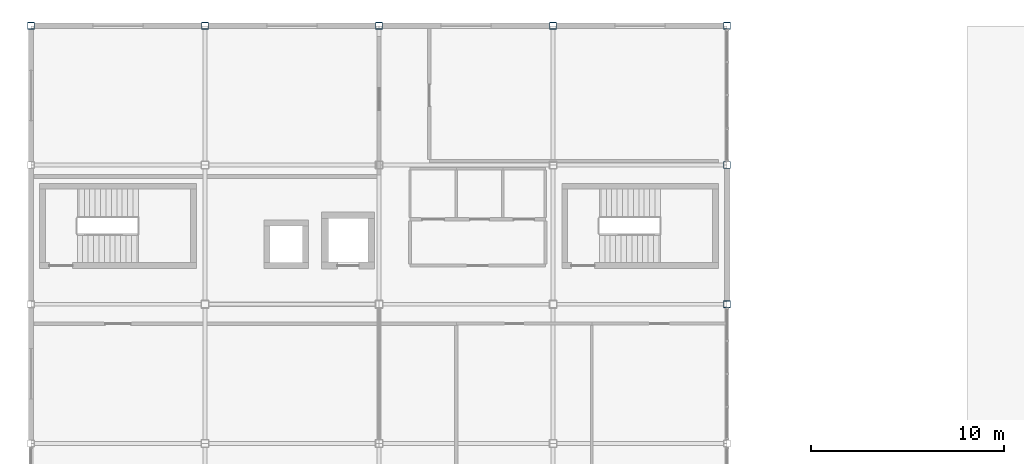
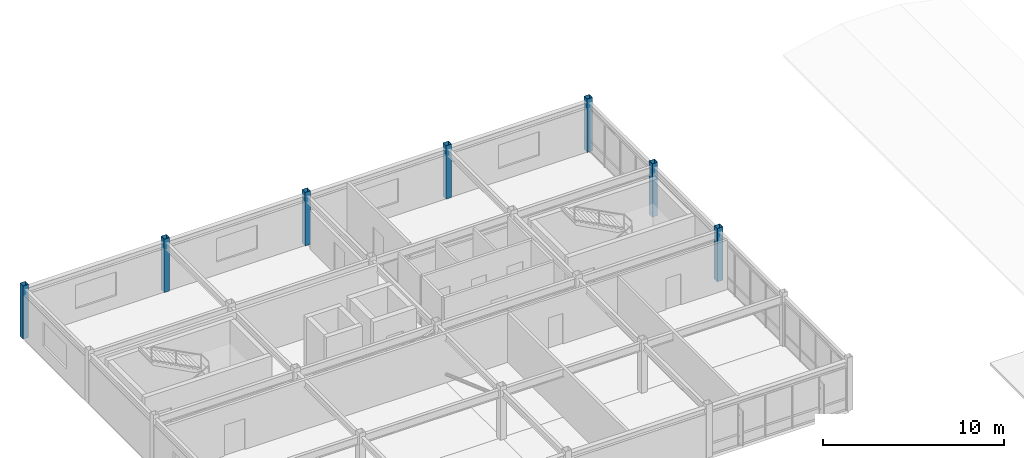
# One storey, part 2 of 34: 7 columns.
"""IFC4 building model written with IfcOpenShell, lengths in metres."""

from ifc_helpers import new_model, si_unit, direction, frame, origin, origin_2d, place, context, subcontext, project, spatial, hollow_rectangle, extrude, material, material_profile, profile_set, type_object, element, save


model = new_model("IFC4")

# Units and contexts
model_context = context("Model", 3, precision=1e-05, world=origin(), true_north=direction((0.0, 1.0)))
body_context = subcontext(model_context, "Body", "Model", "MODEL_VIEW")
ifc_project = project(units=[si_unit("LENGTHUNIT", "METRE"), si_unit("AREAUNIT", "SQUARE_METRE"), si_unit("VOLUMEUNIT", "CUBIC_METRE"), si_unit("PLANEANGLEUNIT", "RADIAN"), si_unit("MASSUNIT", "GRAM", prefix="KILO")], contexts=[model_context])

# Site, building, storey
site_placement = place(None, origin())
site = spatial("IfcSite", under=ifc_project, at=site_placement, CompositionType="ELEMENT")
building_placement = place(site_placement, origin())
building = spatial("IfcBuilding", under=site, at=building_placement, Name="Kazanami Central Library", CompositionType="ELEMENT")
storey_placement = place(building_placement, frame((0.0, 0.0, 17.0)))
storey = spatial("IfcBuildingStorey", under=building, at=storey_placement, Name="L05", CompositionType="ELEMENT", Elevation=17.0)

# Columns
ifc_material = material(Name="Steel BCP325 (325 MPa)", Category="steel")
ifc_material_profile = material_profile(ifc_material, hollow_rectangle(XDim=0.35009765625, YDim=0.35009765625, WallThickness=0.011962890625, at=origin_2d()), Name="STKR-350x350x12")
ifc_profile_set = profile_set([ifc_material_profile], Name="Steel BCP325 (325 MPa)")
column_type = type_object("IfcColumnType", Name="COL-C-P4E", PredefinedType="COLUMN", material=ifc_profile_set)
for number, where, z_axis, x_axis, name in (
    (1, (0.0, 93.60009765625, 0.0), (0.0, 0.0, 1.0), (1.0, 0.0, 0.0), "Column C-P4E L05 1/O"),
    (2, (9.0, 93.60009765625, 0.0), (0.0, 0.0, 1.0), (1.0, 0.0, 0.0), "Column C-P4E L05 2/O"),
    (3, (18.0, 93.60009765625, 0.0), (0.0, 0.0, 1.0), (1.0, 0.0, 0.0), "Column C-P4E L05 3/O"),
    (4, (27.0, 93.60009765625, 0.0), (0.0, 0.0, 1.0), (1.0, 0.0, 0.0), "Column C-P4E L05 4/O"),
    (5, (36.0, 79.199951171875, 0.0), (0.0, 0.0, 1.0), (1.0, 0.0, 0.0), "Column C-P4E L05 5/M"),
    (6, (36.0, 86.39990234375, 0.0), (0.0, 0.0, 1.0), (1.0, 0.0, 0.0), "Column C-P4E L05 5/N"),
    (7, (36.0, 93.60009765625, 0.0), (0.0, 0.0, 1.0), (1.0, 0.0, 0.0), "Column C-P4E L05 5/O"),
):
    element("IfcColumn", number, at=place(storey_placement, frame(where, z_axis=z_axis, x_axis=x_axis)), inside=storey, type_object=column_type, Name=name, PredefinedType="COLUMN", context=body_context, shape_type="SweptSolid", body=[
        extrude(hollow_rectangle(XDim=0.35009765625, YDim=0.35009765625, WallThickness=0.011962890625, at=origin_2d()), origin(), (0.0, 0.0, 1.0), 3.60009765625),
    ])

save(model, "model.ifc")
